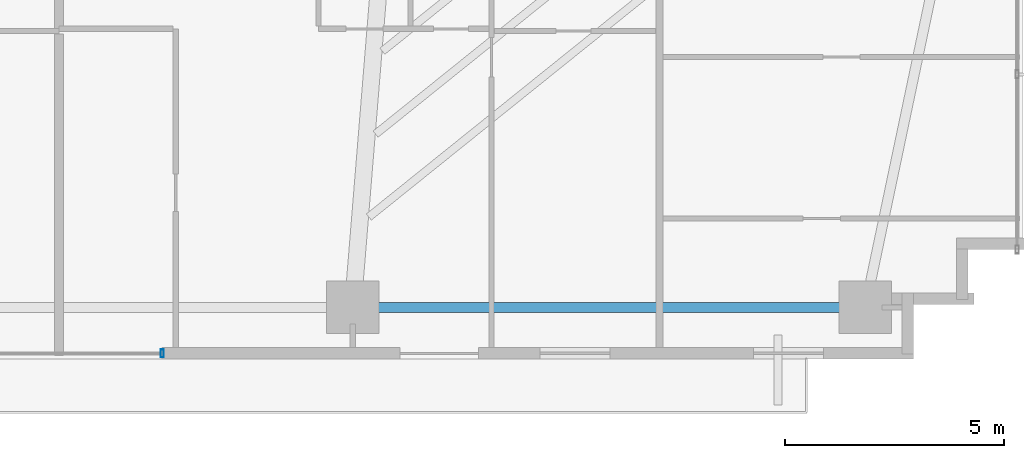
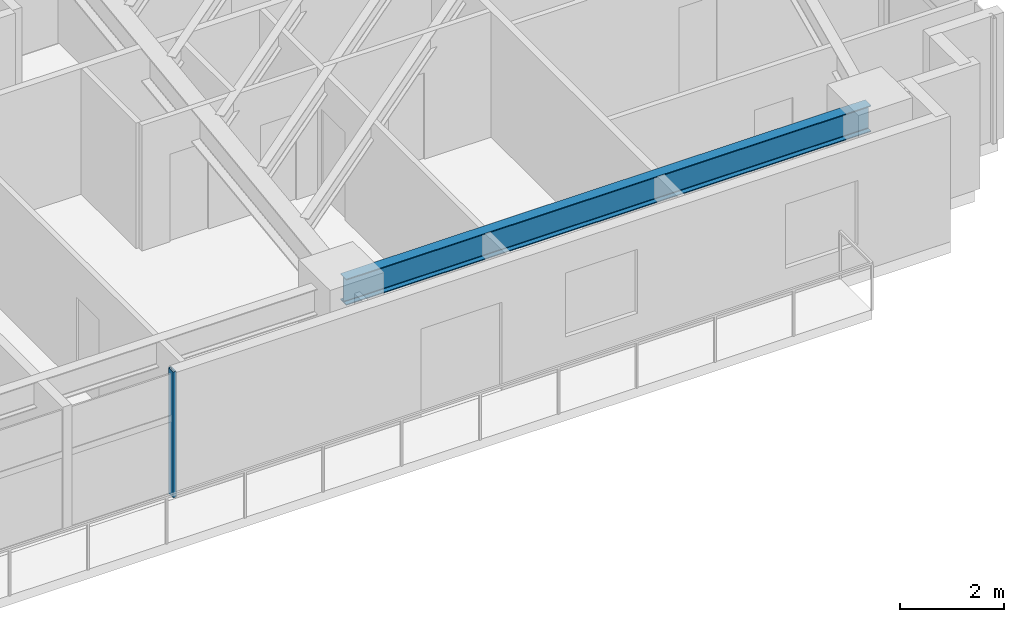
# One storey, part 12 of 25: 1 beam, 1 member, 1 element without a shape of its own.
"""IFC4 building model written with IfcOpenShell, lengths in metres."""

from ifc_helpers import new_model, si_unit, direction, frame, origin, origin_2d, place, context, subcontext, project, spatial, hollow_rectangle, i_section, extrude, source, transform, mapped, material, material_profile, profile_set, type_object, type_shapes, element, aggregate, save


model = new_model("IFC4")

# Units and contexts
model_context = context("Model", 3, precision=1e-05, world=origin(), true_north=direction((0.0, 1.0)))
body_context = subcontext(model_context, "Body", "Model", "MODEL_VIEW")
ifc_project = project(units=[si_unit("LENGTHUNIT", "METRE"), si_unit("AREAUNIT", "SQUARE_METRE"), si_unit("VOLUMEUNIT", "CUBIC_METRE"), si_unit("PLANEANGLEUNIT", "RADIAN"), si_unit("MASSUNIT", "GRAM", prefix="KILO")], contexts=[model_context])

# Site, building, storey
site_placement = place(None, origin())
site = spatial("IfcSite", under=ifc_project, at=site_placement, CompositionType="ELEMENT")
building_placement = place(site_placement, origin())
building = spatial("IfcBuilding", under=site, at=building_placement, Name="Astriad Promenade Condominiums", CompositionType="ELEMENT")
storey_placement = place(building_placement, frame((0.0, 0.0, 35.800048828125)))
storey = spatial("IfcBuildingStorey", under=building, at=storey_placement, Name="L09", CompositionType="ELEMENT", Elevation=35.800048828125)

# Beam
ifc_material_1 = material(Name="Steel ASTM A992 Grade 50", Category="steel")
ifc_material_profile_1 = material_profile(ifc_material_1, i_section(OverallWidth=0.22900390625, OverallDepth=0.612060546875, WebThickness=0.011962890625, FlangeThickness=0.01953125, FilletRadius=0.017822265625, at=origin_2d()), Name="W24X84")
ifc_profile_set_1 = profile_set([ifc_material_profile_1], Name="Steel ASTM A992 Grade 50")
beam_type = type_object("IfcBeamType", Name="STEEL SPANDREL BEAM W24X84", PredefinedType="SPANDREL", material=ifc_profile_set_1)
shared_shape_1 = source(origin(), body_context, "Body", "SweptSolid", [
    extrude(i_section(OverallWidth=0.22900390625, OverallDepth=0.612060546875, WebThickness=0.011962890625, FlangeThickness=0.01953125, FilletRadius=0.017822265625, at=origin_2d()), origin(), (0.0, 0.0, 1.0), 11.619873046875),
])
type_shapes(beam_type, [shared_shape_1])
beam_placement = place(storey_placement, frame((44.5400390625, 3.8798828125, 2.634033203125), z_axis=(1.0, 0.0, 0.0), x_axis=(0.0, 1.0, 0.0)))
element("IfcBeam", 1, at=beam_placement, inside=storey, type_object=beam_type, Name="Perimeter Spandrel Beam SP-S4-L09", PredefinedType="SPANDREL", context=body_context, shape_type="MappedRepresentation", body=[
    mapped(shared_shape_1, transform((0.0, 0.0, 0.0), scale=1.0)),
])

# Curtain wall, member
ifc_material_2 = material(Name="Anodised aluminium Black Dark Glass Unitised", Category="aluminium")
curtain_wall_type = type_object("IfcCurtainWallType", Name="CW-B1-DARK", PredefinedType="USERDEFINED", material=ifc_material_2)
curtain_wall_placement = place(storey_placement, origin())
curtain_wall = element("IfcCurtainWall", 2, at=curtain_wall_placement, inside=storey, type_object=curtain_wall_type, Name="CW-L09-S", ObjectType="UNITISED_CURTAIN_WALL", PredefinedType="USERDEFINED")
ifc_material_3 = material(Name="Anodised aluminium 6063-T6 Black", Category="aluminium")
ifc_material_profile_2 = material_profile(ifc_material_3, hollow_rectangle(XDim=0.074951171875, YDim=0.18505859375, WallThickness=0.00439453125, at=origin_2d()), Name="ALU-MUL-75X185")
ifc_profile_set_2 = profile_set([ifc_material_profile_2], Name="Anodised aluminium 6063-T6 Black")
member_type = type_object("IfcMemberType", Name="MUL-ALU-MUL-75X185", PredefinedType="MULLION", material=ifc_profile_set_2)
shared_shape_2 = source(origin(), body_context, "Body", "SweptSolid", [
    extrude(hollow_rectangle(XDim=0.074951171875, YDim=0.18505859375, WallThickness=0.00439453125, at=origin_2d()), origin(), (0.0, 0.0, 1.0), 2.93994140625),
])
type_shapes(member_type, [shared_shape_2])
member_placement = place(storey_placement, frame((40.14990234375, 2.830078125, 0.0), z_axis=(0.0, 0.0, 1.0), x_axis=(1.0, 0.0, 0.0)))
member = element("IfcMember", 3, at=member_placement, type_object=member_type, Name="CW-L09-S-MUL-00", PredefinedType="MULLION", context=body_context, shape_type="MappedRepresentation", body=[
    mapped(shared_shape_2, transform((0.0, 0.0, 0.0), scale=1.0)),
])
aggregate(curtain_wall, [member])

save(model, "model.ifc")
